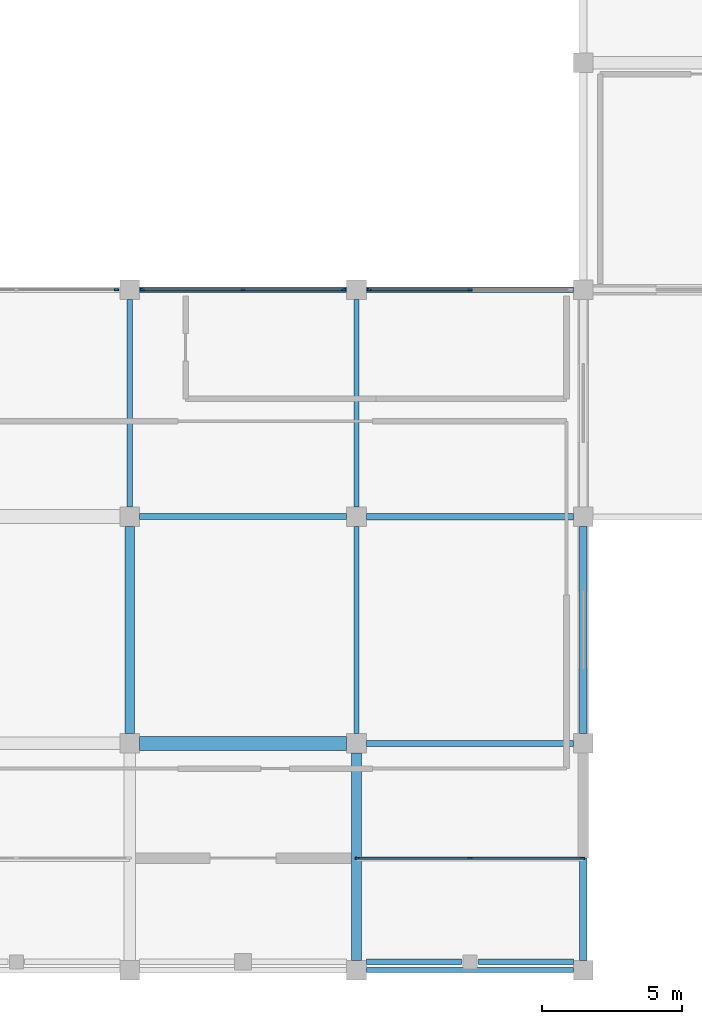
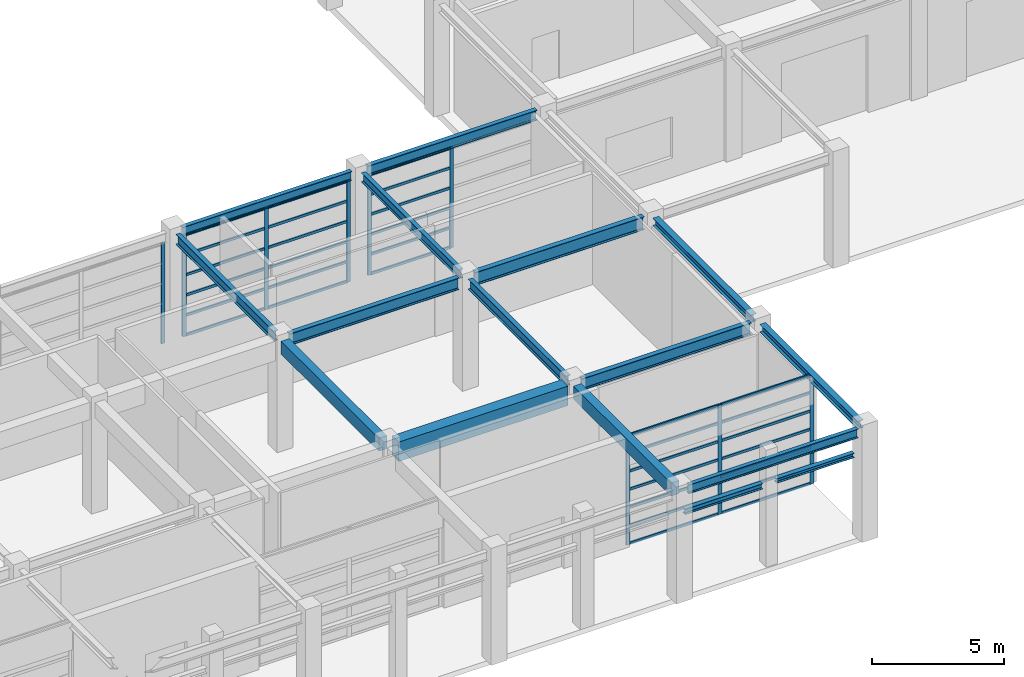
# One storey, part 12 of 52: 41 members, 16 beams, 4 elements without a shape of their own.
"""IFC4 building model written with IfcOpenShell, lengths in metres."""

from ifc_helpers import new_model, si_unit, direction, frame, origin, origin_2d, place, context, subcontext, project, spatial, rectangle, i_section, extrude, material, material_profile, profile_set, type_object, element, aggregate, save


model = new_model("IFC4")

# Units and contexts
model_context = context("Model", 3, precision=1e-05, world=origin(), true_north=direction((0.0, 1.0)))
body_context = subcontext(model_context, "Body", "Model", "MODEL_VIEW")
ifc_project = project(units=[si_unit("LENGTHUNIT", "METRE"), si_unit("AREAUNIT", "SQUARE_METRE"), si_unit("VOLUMEUNIT", "CUBIC_METRE"), si_unit("PLANEANGLEUNIT", "RADIAN"), si_unit("MASSUNIT", "GRAM", prefix="KILO")], contexts=[model_context])

# Site, building, storey
site_placement = place(None, origin())
site = spatial("IfcSite", under=ifc_project, at=site_placement, CompositionType="ELEMENT")
building_placement = place(site_placement, origin())
building = spatial("IfcBuilding", under=site, at=building_placement, Name="Parian Resonance Hall", CompositionType="ELEMENT")
storey_placement = place(building_placement, origin())
storey = spatial("IfcBuildingStorey", under=building, at=storey_placement, Name="L00", CompositionType="ELEMENT", Elevation=0.0)

# Beams
ifc_material_1 = material(Name="Concrete C40/50", Category="concrete")
ifc_material_profile_1 = material_profile(ifc_material_1, rectangle(XDim=0.35009765625, YDim=0.60009765625, at=origin_2d()), Name="RC-BM-350x600")
ifc_profile_set_1 = profile_set([ifc_material_profile_1], Name="Concrete C40/50")
beam_type_1 = type_object("IfcBeamType", Name="BM-RC350x600", PredefinedType="BEAM", material=ifc_profile_set_1)
beam_1_placement = place(storey_placement, frame((97.199951171875, 8.449951171875, 4.800048828125), z_axis=(0.0, 1.0, 0.0), x_axis=(-1.0, 0.0, 0.0)))
element("IfcBeam", 1, at=beam_1_placement, inside=storey, type_object=beam_type_1, Name="GY-L00-0444", PredefinedType="BEAM", context=body_context, shape_type="SweptSolid", body=[
    extrude(rectangle(XDim=0.35009765625, YDim=0.60009765625, at=origin_2d()), origin(), (0.0, 0.0, 1.0), 7.400146484375),
])
beam_2_placement = place(storey_placement, frame((105.300048828125, 0.35009765625, 4.800048828125), z_axis=(0.0, 1.0, 0.0), x_axis=(-1.0, 0.0, 0.0)))
element("IfcBeam", 2, at=beam_2_placement, inside=storey, type_object=beam_type_1, Name="GY-L00-0448", PredefinedType="BEAM", context=body_context, shape_type="SweptSolid", body=[
    extrude(rectangle(XDim=0.35009765625, YDim=0.60009765625, at=origin_2d()), origin(), (0.0, 0.0, 1.0), 7.39990234375),
])
ifc_material_2 = material(Name="Concrete C40/50", Category="concrete")
ifc_material_profile_2 = material_profile(ifc_material_2, rectangle(XDim=0.5, YDim=0.89990234375, at=origin_2d()), Name="RC-BM-500x900")
ifc_profile_set_2 = profile_set([ifc_material_profile_2], Name="Concrete C40/50")
beam_type_2 = type_object("IfcBeamType", Name="BM-RC500x900", PredefinedType="USERDEFINED", material=ifc_profile_set_2)
beam_3_placement = place(storey_placement, frame((97.550048828125, 8.10009765625, 4.64990234375), z_axis=(1.0, 0.0, 0.0), x_axis=(0.0, 1.0, 0.0)))
element("IfcBeam", 3, at=beam_3_placement, inside=storey, type_object=beam_type_2, Name="GX-L00-0331", ObjectType="GIRDER", PredefinedType="USERDEFINED", context=body_context, shape_type="SweptSolid", body=[
    extrude(rectangle(XDim=0.5, YDim=0.89990234375, at=origin_2d()), origin(), (0.0, 0.0, 1.0), 7.39990234375),
])
ifc_material_3 = material(Name="Steel S355", Category="steel")
ifc_material_profile_3 = material_profile(ifc_material_3, i_section(OverallWidth=0.202880859375, OverallDepth=0.202880859375, WebThickness=0.007080078125, FlangeThickness=0.010986328125, FilletRadius=0.01025390625, at=origin_2d()), Name="W200x46")
ifc_profile_set_3 = profile_set([ifc_material_profile_3], Name="Steel S355")
beam_type_3 = type_object("IfcBeamType", Name="BM-W200x46", PredefinedType="LINTEL", material=ifc_profile_set_3)
beam_4_placement = place(storey_placement, frame((109.64990234375, 0.300048828125, 3.698486328125), z_axis=(1.0, 0.0, 0.0), x_axis=(0.0, 1.0, 0.0)))
element("IfcBeam", 4, at=beam_4_placement, inside=storey, type_object=beam_type_3, Name="LN-S-13B", PredefinedType="LINTEL", context=body_context, shape_type="SweptSolid", body=[
    extrude(i_section(OverallWidth=0.202880859375, OverallDepth=0.202880859375, WebThickness=0.007080078125, FlangeThickness=0.010986328125, FilletRadius=0.01025390625, at=origin_2d()), origin(), (0.0, 0.0, 1.0), 3.400146484375),
])
ifc_material_4 = material(Name="Steel S355", Category="steel")
ifc_material_profile_4 = material_profile(ifc_material_4, i_section(OverallWidth=0.202880859375, OverallDepth=0.251953125, WebThickness=0.008056640625, FlangeThickness=0.013427734375, FilletRadius=0.0126953125, at=origin_2d()), Name="W250x58")
ifc_profile_set_4 = profile_set([ifc_material_profile_4], Name="Steel S355")
beam_type_4 = type_object("IfcBeamType", Name="BM-W250x58", PredefinedType="LINTEL", material=ifc_profile_set_4)
beam_5_placement = place(storey_placement, frame((105.64990234375, 0.300048828125, 3.674072265625), z_axis=(1.0, 0.0, 0.0), x_axis=(0.0, 1.0, 0.0)))
element("IfcBeam", 5, at=beam_5_placement, inside=storey, type_object=beam_type_4, Name="LN-S-13A", PredefinedType="LINTEL", context=body_context, shape_type="SweptSolid", body=[
    extrude(i_section(OverallWidth=0.202880859375, OverallDepth=0.251953125, WebThickness=0.008056640625, FlangeThickness=0.013427734375, FilletRadius=0.0126953125, at=origin_2d()), origin(), (0.0, 0.0, 1.0), 3.400146484375),
])
ifc_material_5 = material(Name="Steel S355", Category="steel")
ifc_material_profile_5 = material_profile(ifc_material_5, i_section(OverallWidth=0.2548828125, OverallDepth=0.35693359375, WebThickness=0.010498046875, FlangeThickness=0.018310546875, FilletRadius=0.01513671875, at=origin_2d()), Name="W360x101")
ifc_profile_set_5 = profile_set([ifc_material_profile_5], Name="Steel S355")
beam_type_5 = type_object("IfcBeamType", Name="BM-W360x101", PredefinedType="SPANDREL", material=ifc_profile_set_5)
beam_6_placement = place(storey_placement, frame((113.39990234375, 0.35009765625, 4.92138671875), z_axis=(0.0, 1.0, 0.0), x_axis=(-1.0, 0.0, 0.0)))
element("IfcBeam", 6, at=beam_6_placement, inside=storey, type_object=beam_type_5, Name="GY-L00-0453", PredefinedType="SPANDREL", context=body_context, shape_type="SweptSolid", body=[
    extrude(i_section(OverallWidth=0.2548828125, OverallDepth=0.35693359375, WebThickness=0.010498046875, FlangeThickness=0.018310546875, FilletRadius=0.01513671875, at=origin_2d()), origin(), (0.0, 0.0, 1.0), 7.39990234375),
])
beam_7_placement = place(storey_placement, frame((113.39990234375, 8.449951171875, 4.92138671875), z_axis=(0.0, 1.0, 0.0), x_axis=(-1.0, 0.0, 0.0)))
element("IfcBeam", 7, at=beam_7_placement, inside=storey, type_object=beam_type_5, Name="GY-L00-0454", PredefinedType="SPANDREL", context=body_context, shape_type="SweptSolid", body=[
    extrude(i_section(OverallWidth=0.2548828125, OverallDepth=0.35693359375, WebThickness=0.010498046875, FlangeThickness=0.018310546875, FilletRadius=0.01513671875, at=origin_2d()), origin(), (0.0, 0.0, 1.0), 7.400146484375),
])
ifc_material_6 = material(Name="Steel S355", Category="steel")
ifc_material_profile_6 = material_profile(ifc_material_6, i_section(OverallWidth=0.180908203125, OverallDepth=0.4169921875, WebThickness=0.010986328125, FlangeThickness=0.018310546875, FilletRadius=0.01513671875, at=origin_2d()), Name="W410x85")
ifc_profile_set_6 = profile_set([ifc_material_profile_6], Name="Steel S355")
beam_type_6 = type_object("IfcBeamType", Name="BM-W410x85", PredefinedType="SPANDREL", material=ifc_profile_set_6)
beam_8_placement = place(storey_placement, frame((97.550048828125, 24.300048828125, 4.8916015625), z_axis=(1.0, 0.0, 0.0), x_axis=(0.0, 1.0, 0.0)))
element("IfcBeam", 8, at=beam_8_placement, inside=storey, type_object=beam_type_6, Name="GX-L00-0333", PredefinedType="SPANDREL", context=body_context, shape_type="SweptSolid", body=[
    extrude(i_section(OverallWidth=0.180908203125, OverallDepth=0.4169921875, WebThickness=0.010986328125, FlangeThickness=0.018310546875, FilletRadius=0.01513671875, at=origin_2d()), origin(), (0.0, 0.0, 1.0), 7.39990234375),
])
beam_9_placement = place(storey_placement, frame((105.64990234375, 0.0, 4.8916015625), z_axis=(1.0, 0.0, 0.0), x_axis=(0.0, 1.0, 0.0)))
element("IfcBeam", 9, at=beam_9_placement, inside=storey, type_object=beam_type_6, Name="GX-L00-0337", PredefinedType="SPANDREL", context=body_context, shape_type="SweptSolid", body=[
    extrude(i_section(OverallWidth=0.180908203125, OverallDepth=0.4169921875, WebThickness=0.010986328125, FlangeThickness=0.018310546875, FilletRadius=0.01513671875, at=origin_2d()), origin(), (0.0, 0.0, 1.0), 7.400146484375),
])
beam_10_placement = place(storey_placement, frame((105.300048828125, 16.550048828125, 4.8916015625), z_axis=(0.0, 1.0, 0.0), x_axis=(-1.0, 0.0, 0.0)))
element("IfcBeam", 10, at=beam_10_placement, inside=storey, type_object=beam_type_6, Name="GY-L00-0450", PredefinedType="SPANDREL", context=body_context, shape_type="SweptSolid", body=[
    extrude(i_section(OverallWidth=0.180908203125, OverallDepth=0.4169921875, WebThickness=0.010986328125, FlangeThickness=0.018310546875, FilletRadius=0.01513671875, at=origin_2d()), origin(), (0.0, 0.0, 1.0), 7.39990234375),
])
ifc_material_7 = material(Name="Steel S355", Category="steel")
ifc_material_profile_7 = material_profile(ifc_material_7, i_section(OverallWidth=0.194091796875, OverallDepth=0.468994140625, WebThickness=0.0126953125, FlangeThickness=0.0205078125, FilletRadius=0.01513671875, at=origin_2d()), Name="W460x106")
ifc_profile_set_7 = profile_set([ifc_material_profile_7], Name="Steel S355")
beam_type_7 = type_object("IfcBeamType", Name="BM-W460x106", PredefinedType="SPANDREL", material=ifc_profile_set_7)
beam_11_placement = place(storey_placement, frame((105.64990234375, 24.300048828125, 4.865478515625), z_axis=(1.0, 0.0, 0.0), x_axis=(0.0, 1.0, 0.0)))
element("IfcBeam", 11, at=beam_11_placement, inside=storey, type_object=beam_type_7, Name="GX-L00-0340", PredefinedType="SPANDREL", context=body_context, shape_type="SweptSolid", body=[
    extrude(i_section(OverallWidth=0.194091796875, OverallDepth=0.468994140625, WebThickness=0.0126953125, FlangeThickness=0.0205078125, FilletRadius=0.01513671875, at=origin_2d()), origin(), (0.0, 0.0, 1.0), 7.400146484375),
])
beam_12_placement = place(storey_placement, frame((97.199951171875, 16.550048828125, 4.865478515625), z_axis=(0.0, 1.0, 0.0), x_axis=(-1.0, 0.0, 0.0)))
element("IfcBeam", 12, at=beam_12_placement, inside=storey, type_object=beam_type_7, Name="GY-L00-0445", PredefinedType="SPANDREL", context=body_context, shape_type="SweptSolid", body=[
    extrude(i_section(OverallWidth=0.194091796875, OverallDepth=0.468994140625, WebThickness=0.0126953125, FlangeThickness=0.0205078125, FilletRadius=0.01513671875, at=origin_2d()), origin(), (0.0, 0.0, 1.0), 7.39990234375),
])
beam_13_placement = place(storey_placement, frame((105.300048828125, 8.449951171875, 4.865478515625), z_axis=(0.0, 1.0, 0.0), x_axis=(-1.0, 0.0, 0.0)))
element("IfcBeam", 13, at=beam_13_placement, inside=storey, type_object=beam_type_7, Name="GY-L00-0449", PredefinedType="SPANDREL", context=body_context, shape_type="SweptSolid", body=[
    extrude(i_section(OverallWidth=0.194091796875, OverallDepth=0.468994140625, WebThickness=0.0126953125, FlangeThickness=0.0205078125, FilletRadius=0.01513671875, at=origin_2d()), origin(), (0.0, 0.0, 1.0), 7.400146484375),
])
ifc_material_8 = material(Name="Steel S355", Category="steel")
ifc_material_profile_8 = material_profile(ifc_material_8, i_section(OverallWidth=0.2119140625, OverallDepth=0.5439453125, WebThickness=0.01318359375, FlangeThickness=0.021240234375, FilletRadius=0.017822265625, at=origin_2d()), Name="W530x123")
ifc_profile_set_8 = profile_set([ifc_material_profile_8], Name="Steel S355")
beam_type_8 = type_object("IfcBeamType", Name="BM-W530x123", PredefinedType="USERDEFINED", material=ifc_profile_set_8)
beam_14_placement = place(storey_placement, frame((97.550048828125, 16.199951171875, 4.827880859375), z_axis=(1.0, 0.0, 0.0), x_axis=(0.0, 1.0, 0.0)))
element("IfcBeam", 14, at=beam_14_placement, inside=storey, type_object=beam_type_8, Name="GX-L00-0332", ObjectType="GIRDER", PredefinedType="USERDEFINED", context=body_context, shape_type="SweptSolid", body=[
    extrude(i_section(OverallWidth=0.2119140625, OverallDepth=0.5439453125, WebThickness=0.01318359375, FlangeThickness=0.021240234375, FilletRadius=0.017822265625, at=origin_2d()), origin(), (0.0, 0.0, 1.0), 7.39990234375),
])
beam_15_placement = place(storey_placement, frame((105.64990234375, 8.10009765625, 4.827880859375), z_axis=(1.0, 0.0, 0.0), x_axis=(0.0, 1.0, 0.0)))
element("IfcBeam", 15, at=beam_15_placement, inside=storey, type_object=beam_type_8, Name="GX-L00-0338", ObjectType="GIRDER", PredefinedType="USERDEFINED", context=body_context, shape_type="SweptSolid", body=[
    extrude(i_section(OverallWidth=0.2119140625, OverallDepth=0.5439453125, WebThickness=0.01318359375, FlangeThickness=0.021240234375, FilletRadius=0.017822265625, at=origin_2d()), origin(), (0.0, 0.0, 1.0), 7.400146484375),
])
ifc_material_9 = material(Name="Steel S355", Category="steel")
ifc_material_profile_9 = material_profile(ifc_material_9, i_section(OverallWidth=0.22802734375, OverallDepth=0.60791015625, WebThickness=0.01123046875, FlangeThickness=0.017333984375, FilletRadius=0.017822265625, at=origin_2d()), Name="W610x113")
ifc_profile_set_9 = profile_set([ifc_material_profile_9], Name="Steel S355")
beam_type_9 = type_object("IfcBeamType", Name="BM-W610x113", PredefinedType="USERDEFINED", material=ifc_profile_set_9)
beam_16_placement = place(storey_placement, frame((105.64990234375, 16.199951171875, 4.7958984375), z_axis=(1.0, 0.0, 0.0), x_axis=(0.0, 1.0, 0.0)))
element("IfcBeam", 16, at=beam_16_placement, inside=storey, type_object=beam_type_9, Name="GX-L00-0339", ObjectType="GIRDER", PredefinedType="USERDEFINED", context=body_context, shape_type="SweptSolid", body=[
    extrude(i_section(OverallWidth=0.22802734375, OverallDepth=0.60791015625, WebThickness=0.01123046875, FlangeThickness=0.017333984375, FilletRadius=0.017822265625, at=origin_2d()), origin(), (0.0, 0.0, 1.0), 7.400146484375),
])

# Curtain wall, members
ifc_material_10 = material(Name="Bronze-anodised aluminium frame", Category="aluminium")
curtain_wall_type_1 = type_object("IfcCurtainWallType", Name="CW-SYS-02", PredefinedType="NOTDEFINED", material=ifc_material_10)
curtain_wall_1_placement = place(storey_placement, origin())
curtain_wall_1 = element("IfcCurtainWall", 17, at=curtain_wall_1_placement, inside=storey, type_object=curtain_wall_type_1, Name="Curtain wall CW-L00-075", PredefinedType="NOTDEFINED")
ifc_material_11 = material(Name="Bronze-anodised aluminium frame", Category="aluminium")
ifc_material_profile_10 = material_profile(ifc_material_11, rectangle(XDim=0.06494140625, YDim=0.159912109375, at=origin_2d()), Name="CWM-65x160")
ifc_profile_set_10 = profile_set([ifc_material_profile_10], Name="Bronze-anodised aluminium frame")
member_type_1 = type_object("IfcMemberType", Name="CWM-65x160", PredefinedType="MULLION", material=ifc_profile_set_10)
member_1_placement = place(storey_placement, frame((113.367431640625, 4.0, -0.008056640625), z_axis=(0.0, 0.0, 1.0), x_axis=(0.0, -1.0, 0.0)))
member_1 = element("IfcMember", 18, at=member_1_placement, type_object=member_type_1, Name="CW-02 mullion 1", PredefinedType="MULLION", context=body_context, shape_type="SweptSolid", body=[
    extrude(rectangle(XDim=0.06494140625, YDim=0.159912109375, at=origin_2d()), origin(), (0.0, 0.0, 1.0), 5.068115234375),
])
member_2_placement = place(storey_placement, frame((109.35009765625, 4.0, -0.008056640625), z_axis=(0.0, 0.0, 1.0), x_axis=(0.0, -1.0, 0.0)))
member_2 = element("IfcMember", 19, at=member_2_placement, type_object=member_type_1, Name="CW-02 mullion 2", PredefinedType="MULLION", context=body_context, shape_type="SweptSolid", body=[
    extrude(rectangle(XDim=0.06494140625, YDim=0.159912109375, at=origin_2d()), origin(), (0.0, 0.0, 1.0), 5.068115234375),
])
member_3_placement = place(storey_placement, frame((105.33251953125, 4.0, -0.008056640625), z_axis=(0.0, 0.0, 1.0), x_axis=(0.0, -1.0, 0.0)))
member_3 = element("IfcMember", 20, at=member_3_placement, type_object=member_type_1, Name="CW-02 mullion 3", PredefinedType="MULLION", context=body_context, shape_type="SweptSolid", body=[
    extrude(rectangle(XDim=0.06494140625, YDim=0.159912109375, at=origin_2d()), origin(), (0.0, 0.0, 1.0), 5.068115234375),
])

# Curtain wall, member
ifc_material_12 = material(Name="Bronze-anodised aluminium frame", Category="aluminium")
curtain_wall_type_2 = type_object("IfcCurtainWallType", Name="CW-SYS-01", PredefinedType="NOTDEFINED", material=ifc_material_12)
curtain_wall_2_placement = place(storey_placement, origin())
curtain_wall_2 = element("IfcCurtainWall", 21, at=curtain_wall_2_placement, inside=storey, type_object=curtain_wall_type_2, Name="Curtain wall CW-L00-117", PredefinedType="NOTDEFINED")
member_4_placement = place(storey_placement, frame((96.737548828125, 24.300048828125, -0.008056640625), z_axis=(0.0, 0.0, 1.0), x_axis=(0.0, 1.0, 0.0)))
member_4 = element("IfcMember", 22, at=member_4_placement, type_object=member_type_1, Name="CW-01 mullion 3", PredefinedType="MULLION", context=body_context, shape_type="SweptSolid", body=[
    extrude(rectangle(XDim=0.06494140625, YDim=0.159912109375, at=origin_2d()), origin(), (0.0, 0.0, 1.0), 4.64306640625),
])
aggregate(curtain_wall_2, [member_4])

# Curtain wall, members
curtain_wall_3_placement = place(storey_placement, origin())
curtain_wall_3 = element("IfcCurtainWall", 23, at=curtain_wall_3_placement, inside=storey, type_object=curtain_wall_type_1, Name="Curtain wall CW-L00-123", PredefinedType="NOTDEFINED")
member_5_placement = place(storey_placement, frame((97.66259765625, 24.300048828125, -0.008056640625), z_axis=(0.0, 0.0, 1.0), x_axis=(0.0, 1.0, 0.0)))
member_5 = element("IfcMember", 24, at=member_5_placement, type_object=member_type_1, Name="CW-02 mullion 1", PredefinedType="MULLION", context=body_context, shape_type="SweptSolid", body=[
    extrude(rectangle(XDim=0.06494140625, YDim=0.159912109375, at=origin_2d()), origin(), (0.0, 0.0, 1.0), 4.695068359375),
])
member_6_placement = place(storey_placement, frame((101.25, 24.300048828125, -0.008056640625), z_axis=(0.0, 0.0, 1.0), x_axis=(0.0, 1.0, 0.0)))
member_6 = element("IfcMember", 25, at=member_6_placement, type_object=member_type_1, Name="CW-02 mullion 2", PredefinedType="MULLION", context=body_context, shape_type="SweptSolid", body=[
    extrude(rectangle(XDim=0.06494140625, YDim=0.159912109375, at=origin_2d()), origin(), (0.0, 0.0, 1.0), 4.695068359375),
])
member_7_placement = place(storey_placement, frame((104.83740234375, 24.300048828125, -0.008056640625), z_axis=(0.0, 0.0, 1.0), x_axis=(0.0, 1.0, 0.0)))
member_7 = element("IfcMember", 26, at=member_7_placement, type_object=member_type_1, Name="CW-02 mullion 3", PredefinedType="MULLION", context=body_context, shape_type="SweptSolid", body=[
    extrude(rectangle(XDim=0.06494140625, YDim=0.159912109375, at=origin_2d()), origin(), (0.0, 0.0, 1.0), 4.695068359375),
])

ifc_material_13 = material(Name="Bronze-anodised aluminium frame", Category="aluminium")
curtain_wall_type_3 = type_object("IfcCurtainWallType", Name="CW-SYS-03", PredefinedType="NOTDEFINED", material=ifc_material_13)
curtain_wall_4_placement = place(storey_placement, origin())
curtain_wall_4 = element("IfcCurtainWall", 27, at=curtain_wall_4_placement, inside=storey, type_object=curtain_wall_type_3, Name="Curtain wall CW-L00-127", PredefinedType="NOTDEFINED")
member_8_placement = place(storey_placement, frame((105.762451171875, 24.300048828125, -0.008056640625), z_axis=(0.0, 0.0, 1.0), x_axis=(0.0, 1.0, 0.0)))
member_8 = element("IfcMember", 28, at=member_8_placement, type_object=member_type_1, Name="CW-03 mullion 1", PredefinedType="MULLION", context=body_context, shape_type="SweptSolid", body=[
    extrude(rectangle(XDim=0.06494140625, YDim=0.159912109375, at=origin_2d()), origin(), (0.0, 0.0, 1.0), 4.64306640625),
])
member_9_placement = place(storey_placement, frame((109.35009765625, 24.300048828125, -0.008056640625), z_axis=(0.0, 0.0, 1.0), x_axis=(0.0, 1.0, 0.0)))
member_9 = element("IfcMember", 29, at=member_9_placement, type_object=member_type_1, Name="CW-03 mullion 2", PredefinedType="MULLION", context=body_context, shape_type="SweptSolid", body=[
    extrude(rectangle(XDim=0.06494140625, YDim=0.159912109375, at=origin_2d()), origin(), (0.0, 0.0, 1.0), 4.64306640625),
])

# Member
ifc_material_14 = material(Name="Bronze-anodised aluminium frame", Category="aluminium")
ifc_material_profile_11 = material_profile(ifc_material_14, rectangle(XDim=0.06494140625, YDim=0.1201171875, at=origin_2d()), Name="CWT-65x120")
ifc_profile_set_11 = profile_set([ifc_material_profile_11], Name="Bronze-anodised aluminium frame")
member_type_2 = type_object("IfcMemberType", Name="CWT-65x120", PredefinedType="USERDEFINED", material=ifc_profile_set_11)
member_10_placement = place(storey_placement, frame((113.3349609375, 4.0, 0.0244140625), z_axis=(-1.0, 0.0, 0.0), x_axis=(0.0, -1.0, 0.0)))
member_10 = element("IfcMember", 30, at=member_10_placement, type_object=member_type_2, Name="CW-02 transom 1.1", ObjectType="TRANSOM", PredefinedType="USERDEFINED", context=body_context, shape_type="SweptSolid", body=[
    extrude(rectangle(XDim=0.06494140625, YDim=0.1201171875, at=origin_2d()), origin(), (0.0, 0.0, 1.0), 3.952392578125),
])

member_11_placement = place(storey_placement, frame((113.3349609375, 4.0, 0.841796875), z_axis=(-1.0, 0.0, 0.0), x_axis=(0.0, -1.0, 0.0)))
member_11 = element("IfcMember", 31, at=member_11_placement, type_object=member_type_2, Name="CW-02 transom 1.2", ObjectType="TRANSOM", PredefinedType="USERDEFINED", context=body_context, shape_type="SweptSolid", body=[
    extrude(rectangle(XDim=0.06494140625, YDim=0.1201171875, at=origin_2d()), origin(), (0.0, 0.0, 1.0), 3.952392578125),
])

member_12_placement = place(storey_placement, frame((113.3349609375, 4.0, 1.683349609375), z_axis=(-1.0, 0.0, 0.0), x_axis=(0.0, -1.0, 0.0)))
member_12 = element("IfcMember", 32, at=member_12_placement, type_object=member_type_2, Name="CW-02 transom 1.3", ObjectType="TRANSOM", PredefinedType="USERDEFINED", context=body_context, shape_type="SweptSolid", body=[
    extrude(rectangle(XDim=0.06494140625, YDim=0.1201171875, at=origin_2d()), origin(), (0.0, 0.0, 1.0), 3.952392578125),
])

member_13_placement = place(storey_placement, frame((113.3349609375, 4.0, 2.52490234375), z_axis=(-1.0, 0.0, 0.0), x_axis=(0.0, -1.0, 0.0)))
member_13 = element("IfcMember", 33, at=member_13_placement, type_object=member_type_2, Name="CW-02 transom 1.4", ObjectType="TRANSOM", PredefinedType="USERDEFINED", context=body_context, shape_type="SweptSolid", body=[
    extrude(rectangle(XDim=0.06494140625, YDim=0.1201171875, at=origin_2d()), origin(), (0.0, 0.0, 1.0), 3.952392578125),
])

member_14_placement = place(storey_placement, frame((113.3349609375, 4.0, 3.36669921875), z_axis=(-1.0, 0.0, 0.0), x_axis=(0.0, -1.0, 0.0)))
member_14 = element("IfcMember", 34, at=member_14_placement, type_object=member_type_2, Name="CW-02 transom 1.5", ObjectType="TRANSOM", PredefinedType="USERDEFINED", context=body_context, shape_type="SweptSolid", body=[
    extrude(rectangle(XDim=0.06494140625, YDim=0.1201171875, at=origin_2d()), origin(), (0.0, 0.0, 1.0), 3.952392578125),
])

member_15_placement = place(storey_placement, frame((113.3349609375, 4.0, 4.208251953125), z_axis=(-1.0, 0.0, 0.0), x_axis=(0.0, -1.0, 0.0)))
member_15 = element("IfcMember", 35, at=member_15_placement, type_object=member_type_2, Name="CW-02 transom 1.6", ObjectType="TRANSOM", PredefinedType="USERDEFINED", context=body_context, shape_type="SweptSolid", body=[
    extrude(rectangle(XDim=0.06494140625, YDim=0.1201171875, at=origin_2d()), origin(), (0.0, 0.0, 1.0), 3.952392578125),
])

member_16_placement = place(storey_placement, frame((113.3349609375, 4.0, 5.027587890625), z_axis=(-1.0, 0.0, 0.0), x_axis=(0.0, -1.0, 0.0)))
member_16 = element("IfcMember", 36, at=member_16_placement, type_object=member_type_2, Name="CW-02 transom 1.7", ObjectType="TRANSOM", PredefinedType="USERDEFINED", context=body_context, shape_type="SweptSolid", body=[
    extrude(rectangle(XDim=0.06494140625, YDim=0.1201171875, at=origin_2d()), origin(), (0.0, 0.0, 1.0), 3.952392578125),
])

member_17_placement = place(storey_placement, frame((109.3173828125, 4.0, 0.0244140625), z_axis=(-1.0, 0.0, 0.0), x_axis=(0.0, -1.0, 0.0)))
member_17 = element("IfcMember", 37, at=member_17_placement, type_object=member_type_2, Name="CW-02 transom 2.1", ObjectType="TRANSOM", PredefinedType="USERDEFINED", context=body_context, shape_type="SweptSolid", body=[
    extrude(rectangle(XDim=0.06494140625, YDim=0.1201171875, at=origin_2d()), origin(), (0.0, 0.0, 1.0), 3.952392578125),
])

member_18_placement = place(storey_placement, frame((109.3173828125, 4.0, 0.841796875), z_axis=(-1.0, 0.0, 0.0), x_axis=(0.0, -1.0, 0.0)))
member_18 = element("IfcMember", 38, at=member_18_placement, type_object=member_type_2, Name="CW-02 transom 2.2", ObjectType="TRANSOM", PredefinedType="USERDEFINED", context=body_context, shape_type="SweptSolid", body=[
    extrude(rectangle(XDim=0.06494140625, YDim=0.1201171875, at=origin_2d()), origin(), (0.0, 0.0, 1.0), 3.952392578125),
])

member_19_placement = place(storey_placement, frame((109.3173828125, 4.0, 1.683349609375), z_axis=(-1.0, 0.0, 0.0), x_axis=(0.0, -1.0, 0.0)))
member_19 = element("IfcMember", 39, at=member_19_placement, type_object=member_type_2, Name="CW-02 transom 2.3", ObjectType="TRANSOM", PredefinedType="USERDEFINED", context=body_context, shape_type="SweptSolid", body=[
    extrude(rectangle(XDim=0.06494140625, YDim=0.1201171875, at=origin_2d()), origin(), (0.0, 0.0, 1.0), 3.952392578125),
])

member_20_placement = place(storey_placement, frame((109.3173828125, 4.0, 2.52490234375), z_axis=(-1.0, 0.0, 0.0), x_axis=(0.0, -1.0, 0.0)))
member_20 = element("IfcMember", 40, at=member_20_placement, type_object=member_type_2, Name="CW-02 transom 2.4", ObjectType="TRANSOM", PredefinedType="USERDEFINED", context=body_context, shape_type="SweptSolid", body=[
    extrude(rectangle(XDim=0.06494140625, YDim=0.1201171875, at=origin_2d()), origin(), (0.0, 0.0, 1.0), 3.952392578125),
])

member_21_placement = place(storey_placement, frame((109.3173828125, 4.0, 3.36669921875), z_axis=(-1.0, 0.0, 0.0), x_axis=(0.0, -1.0, 0.0)))
member_21 = element("IfcMember", 41, at=member_21_placement, type_object=member_type_2, Name="CW-02 transom 2.5", ObjectType="TRANSOM", PredefinedType="USERDEFINED", context=body_context, shape_type="SweptSolid", body=[
    extrude(rectangle(XDim=0.06494140625, YDim=0.1201171875, at=origin_2d()), origin(), (0.0, 0.0, 1.0), 3.952392578125),
])

member_22_placement = place(storey_placement, frame((109.3173828125, 4.0, 4.208251953125), z_axis=(-1.0, 0.0, 0.0), x_axis=(0.0, -1.0, 0.0)))
member_22 = element("IfcMember", 42, at=member_22_placement, type_object=member_type_2, Name="CW-02 transom 2.6", ObjectType="TRANSOM", PredefinedType="USERDEFINED", context=body_context, shape_type="SweptSolid", body=[
    extrude(rectangle(XDim=0.06494140625, YDim=0.1201171875, at=origin_2d()), origin(), (0.0, 0.0, 1.0), 3.952392578125),
])

member_23_placement = place(storey_placement, frame((109.3173828125, 4.0, 5.027587890625), z_axis=(-1.0, 0.0, 0.0), x_axis=(0.0, -1.0, 0.0)))
member_23 = element("IfcMember", 43, at=member_23_placement, type_object=member_type_2, Name="CW-02 transom 2.7", ObjectType="TRANSOM", PredefinedType="USERDEFINED", context=body_context, shape_type="SweptSolid", body=[
    extrude(rectangle(XDim=0.06494140625, YDim=0.1201171875, at=origin_2d()), origin(), (0.0, 0.0, 1.0), 3.952392578125),
])

aggregate(curtain_wall_1, [member_1, member_2, member_3, member_10, member_11, member_12, member_13, member_14, member_15, member_16, member_17, member_18, member_19, member_20, member_21, member_22, member_23])

member_24_placement = place(storey_placement, frame((97.695068359375, 24.300048828125, 0.0244140625), z_axis=(1.0, 0.0, 0.0), x_axis=(0.0, 1.0, 0.0)))
member_24 = element("IfcMember", 44, at=member_24_placement, type_object=member_type_2, Name="CW-02 transom 1.1", ObjectType="TRANSOM", PredefinedType="USERDEFINED", context=body_context, shape_type="SweptSolid", body=[
    extrude(rectangle(XDim=0.06494140625, YDim=0.1201171875, at=origin_2d()), origin(), (0.0, 0.0, 1.0), 3.5224609375),
])

member_25_placement = place(storey_placement, frame((97.695068359375, 24.300048828125, 0.935302734375), z_axis=(1.0, 0.0, 0.0), x_axis=(0.0, 1.0, 0.0)))
member_25 = element("IfcMember", 45, at=member_25_placement, type_object=member_type_2, Name="CW-02 transom 1.2", ObjectType="TRANSOM", PredefinedType="USERDEFINED", context=body_context, shape_type="SweptSolid", body=[
    extrude(rectangle(XDim=0.06494140625, YDim=0.1201171875, at=origin_2d()), origin(), (0.0, 0.0, 1.0), 3.5224609375),
])

member_26_placement = place(storey_placement, frame((97.695068359375, 24.300048828125, 1.870849609375), z_axis=(1.0, 0.0, 0.0), x_axis=(0.0, 1.0, 0.0)))
member_26 = element("IfcMember", 46, at=member_26_placement, type_object=member_type_2, Name="CW-02 transom 1.3", ObjectType="TRANSOM", PredefinedType="USERDEFINED", context=body_context, shape_type="SweptSolid", body=[
    extrude(rectangle(XDim=0.06494140625, YDim=0.1201171875, at=origin_2d()), origin(), (0.0, 0.0, 1.0), 3.5224609375),
])

member_27_placement = place(storey_placement, frame((97.695068359375, 24.300048828125, 2.80615234375), z_axis=(1.0, 0.0, 0.0), x_axis=(0.0, 1.0, 0.0)))
member_27 = element("IfcMember", 47, at=member_27_placement, type_object=member_type_2, Name="CW-02 transom 1.4", ObjectType="TRANSOM", PredefinedType="USERDEFINED", context=body_context, shape_type="SweptSolid", body=[
    extrude(rectangle(XDim=0.06494140625, YDim=0.1201171875, at=origin_2d()), origin(), (0.0, 0.0, 1.0), 3.5224609375),
])

member_28_placement = place(storey_placement, frame((97.695068359375, 24.300048828125, 3.74169921875), z_axis=(1.0, 0.0, 0.0), x_axis=(0.0, 1.0, 0.0)))
member_28 = element("IfcMember", 48, at=member_28_placement, type_object=member_type_2, Name="CW-02 transom 1.5", ObjectType="TRANSOM", PredefinedType="USERDEFINED", context=body_context, shape_type="SweptSolid", body=[
    extrude(rectangle(XDim=0.06494140625, YDim=0.1201171875, at=origin_2d()), origin(), (0.0, 0.0, 1.0), 3.5224609375),
])

member_29_placement = place(storey_placement, frame((97.695068359375, 24.300048828125, 4.654541015625), z_axis=(1.0, 0.0, 0.0), x_axis=(0.0, 1.0, 0.0)))
member_29 = element("IfcMember", 49, at=member_29_placement, type_object=member_type_2, Name="CW-02 transom 1.6", ObjectType="TRANSOM", PredefinedType="USERDEFINED", context=body_context, shape_type="SweptSolid", body=[
    extrude(rectangle(XDim=0.06494140625, YDim=0.1201171875, at=origin_2d()), origin(), (0.0, 0.0, 1.0), 3.5224609375),
])

member_30_placement = place(storey_placement, frame((101.282470703125, 24.300048828125, 0.0244140625), z_axis=(1.0, 0.0, 0.0), x_axis=(0.0, 1.0, 0.0)))
member_30 = element("IfcMember", 50, at=member_30_placement, type_object=member_type_2, Name="CW-02 transom 2.1", ObjectType="TRANSOM", PredefinedType="USERDEFINED", context=body_context, shape_type="SweptSolid", body=[
    extrude(rectangle(XDim=0.06494140625, YDim=0.1201171875, at=origin_2d()), origin(), (0.0, 0.0, 1.0), 3.5224609375),
])

member_31_placement = place(storey_placement, frame((101.282470703125, 24.300048828125, 0.935302734375), z_axis=(1.0, 0.0, 0.0), x_axis=(0.0, 1.0, 0.0)))
member_31 = element("IfcMember", 51, at=member_31_placement, type_object=member_type_2, Name="CW-02 transom 2.2", ObjectType="TRANSOM", PredefinedType="USERDEFINED", context=body_context, shape_type="SweptSolid", body=[
    extrude(rectangle(XDim=0.06494140625, YDim=0.1201171875, at=origin_2d()), origin(), (0.0, 0.0, 1.0), 3.5224609375),
])

member_32_placement = place(storey_placement, frame((101.282470703125, 24.300048828125, 1.870849609375), z_axis=(1.0, 0.0, 0.0), x_axis=(0.0, 1.0, 0.0)))
member_32 = element("IfcMember", 52, at=member_32_placement, type_object=member_type_2, Name="CW-02 transom 2.3", ObjectType="TRANSOM", PredefinedType="USERDEFINED", context=body_context, shape_type="SweptSolid", body=[
    extrude(rectangle(XDim=0.06494140625, YDim=0.1201171875, at=origin_2d()), origin(), (0.0, 0.0, 1.0), 3.5224609375),
])

member_33_placement = place(storey_placement, frame((101.282470703125, 24.300048828125, 2.80615234375), z_axis=(1.0, 0.0, 0.0), x_axis=(0.0, 1.0, 0.0)))
member_33 = element("IfcMember", 53, at=member_33_placement, type_object=member_type_2, Name="CW-02 transom 2.4", ObjectType="TRANSOM", PredefinedType="USERDEFINED", context=body_context, shape_type="SweptSolid", body=[
    extrude(rectangle(XDim=0.06494140625, YDim=0.1201171875, at=origin_2d()), origin(), (0.0, 0.0, 1.0), 3.5224609375),
])

member_34_placement = place(storey_placement, frame((101.282470703125, 24.300048828125, 3.74169921875), z_axis=(1.0, 0.0, 0.0), x_axis=(0.0, 1.0, 0.0)))
member_34 = element("IfcMember", 54, at=member_34_placement, type_object=member_type_2, Name="CW-02 transom 2.5", ObjectType="TRANSOM", PredefinedType="USERDEFINED", context=body_context, shape_type="SweptSolid", body=[
    extrude(rectangle(XDim=0.06494140625, YDim=0.1201171875, at=origin_2d()), origin(), (0.0, 0.0, 1.0), 3.5224609375),
])

member_35_placement = place(storey_placement, frame((101.282470703125, 24.300048828125, 4.654541015625), z_axis=(1.0, 0.0, 0.0), x_axis=(0.0, 1.0, 0.0)))
member_35 = element("IfcMember", 55, at=member_35_placement, type_object=member_type_2, Name="CW-02 transom 2.6", ObjectType="TRANSOM", PredefinedType="USERDEFINED", context=body_context, shape_type="SweptSolid", body=[
    extrude(rectangle(XDim=0.06494140625, YDim=0.1201171875, at=origin_2d()), origin(), (0.0, 0.0, 1.0), 3.5224609375),
])

aggregate(curtain_wall_3, [member_5, member_6, member_7, member_24, member_25, member_26, member_27, member_28, member_29, member_30, member_31, member_32, member_33, member_34, member_35])

member_36_placement = place(storey_placement, frame((105.794921875, 24.300048828125, 0.0244140625), z_axis=(1.0, 0.0, 0.0), x_axis=(0.0, 1.0, 0.0)))
member_36 = element("IfcMember", 56, at=member_36_placement, type_object=member_type_2, Name="CW-03 transom 1.1", ObjectType="TRANSOM", PredefinedType="USERDEFINED", context=body_context, shape_type="SweptSolid", body=[
    extrude(rectangle(XDim=0.06494140625, YDim=0.1201171875, at=origin_2d()), origin(), (0.0, 0.0, 1.0), 3.5224609375),
])

member_37_placement = place(storey_placement, frame((105.794921875, 24.300048828125, 0.925048828125), z_axis=(1.0, 0.0, 0.0), x_axis=(0.0, 1.0, 0.0)))
member_37 = element("IfcMember", 57, at=member_37_placement, type_object=member_type_2, Name="CW-03 transom 1.2", ObjectType="TRANSOM", PredefinedType="USERDEFINED", context=body_context, shape_type="SweptSolid", body=[
    extrude(rectangle(XDim=0.06494140625, YDim=0.1201171875, at=origin_2d()), origin(), (0.0, 0.0, 1.0), 3.5224609375),
])

member_38_placement = place(storey_placement, frame((105.794921875, 24.300048828125, 1.85009765625), z_axis=(1.0, 0.0, 0.0), x_axis=(0.0, 1.0, 0.0)))
member_38 = element("IfcMember", 58, at=member_38_placement, type_object=member_type_2, Name="CW-03 transom 1.3", ObjectType="TRANSOM", PredefinedType="USERDEFINED", context=body_context, shape_type="SweptSolid", body=[
    extrude(rectangle(XDim=0.06494140625, YDim=0.1201171875, at=origin_2d()), origin(), (0.0, 0.0, 1.0), 3.5224609375),
])

member_39_placement = place(storey_placement, frame((105.794921875, 24.300048828125, 2.77490234375), z_axis=(1.0, 0.0, 0.0), x_axis=(0.0, 1.0, 0.0)))
member_39 = element("IfcMember", 59, at=member_39_placement, type_object=member_type_2, Name="CW-03 transom 1.4", ObjectType="TRANSOM", PredefinedType="USERDEFINED", context=body_context, shape_type="SweptSolid", body=[
    extrude(rectangle(XDim=0.06494140625, YDim=0.1201171875, at=origin_2d()), origin(), (0.0, 0.0, 1.0), 3.5224609375),
])

member_40_placement = place(storey_placement, frame((105.794921875, 24.300048828125, 3.699951171875), z_axis=(1.0, 0.0, 0.0), x_axis=(0.0, 1.0, 0.0)))
member_40 = element("IfcMember", 60, at=member_40_placement, type_object=member_type_2, Name="CW-03 transom 1.5", ObjectType="TRANSOM", PredefinedType="USERDEFINED", context=body_context, shape_type="SweptSolid", body=[
    extrude(rectangle(XDim=0.06494140625, YDim=0.1201171875, at=origin_2d()), origin(), (0.0, 0.0, 1.0), 3.5224609375),
])

member_41_placement = place(storey_placement, frame((105.794921875, 24.300048828125, 4.6025390625), z_axis=(1.0, 0.0, 0.0), x_axis=(0.0, 1.0, 0.0)))
member_41 = element("IfcMember", 61, at=member_41_placement, type_object=member_type_2, Name="CW-03 transom 1.6", ObjectType="TRANSOM", PredefinedType="USERDEFINED", context=body_context, shape_type="SweptSolid", body=[
    extrude(rectangle(XDim=0.06494140625, YDim=0.1201171875, at=origin_2d()), origin(), (0.0, 0.0, 1.0), 3.5224609375),
])

aggregate(curtain_wall_4, [member_8, member_9, member_36, member_37, member_38, member_39, member_40, member_41])

save(model, "model.ifc")
